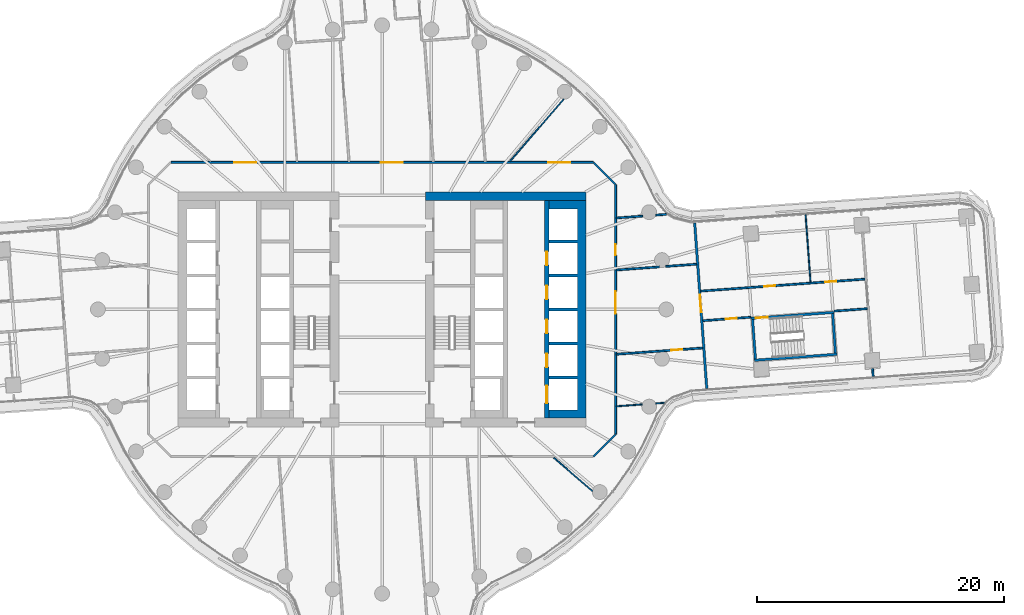
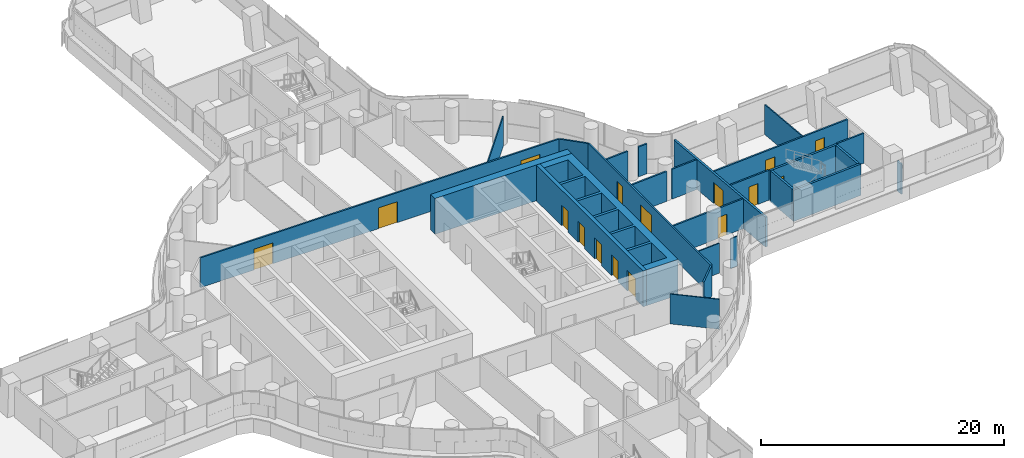
# One storey, part 22 of 31: 26 walls, 16 doors, 16 openings.
"""IFC4 building model written with IfcOpenShell, lengths in metres."""

from ifc_helpers import new_model, si_unit, direction, frame, frame_2d, origin, place, context, subcontext, project, spatial, polyline, rectangle, outline, extrude, material, layer, layer_set, type_object, element, fill, save


model = new_model("IFC4")

# Units and contexts
model_context = context("Model", 3, precision=1e-05, world=origin(), true_north=direction((0.0, 1.0)))
body_context = subcontext(model_context, "Body", "Model", "MODEL_VIEW")
ifc_project = project(units=[si_unit("LENGTHUNIT", "METRE"), si_unit("AREAUNIT", "SQUARE_METRE"), si_unit("VOLUMEUNIT", "CUBIC_METRE"), si_unit("PLANEANGLEUNIT", "RADIAN"), si_unit("MASSUNIT", "GRAM", prefix="KILO")], contexts=[model_context])

# Site, building, storey
site_placement = place(None, origin())
site = spatial("IfcSite", under=ifc_project, at=site_placement, CompositionType="ELEMENT")
building_placement = place(site_placement, origin())
building = spatial("IfcBuilding", under=site, at=building_placement, Name="Tamarind Cross Interchange Tower", CompositionType="ELEMENT")
storey_placement = place(building_placement, frame((0.0, 0.0, 49.0)))
storey = spatial("IfcBuildingStorey", under=building, at=storey_placement, Name="L10", CompositionType="ELEMENT", Elevation=49.0)

# Walls
ifc_material_1 = material(Name="Concrete C80", Category="concrete")
ifc_layer_1 = layer(ifc_material_1, 0.699951171875)
ifc_layer_set_1 = layer_set([ifc_layer_1], Name="Concrete C80")
wall_type_1 = type_object("IfcWallType", Name="Core wall 700 mm Concrete C80", PredefinedType="SHEAR", material=ifc_layer_set_1)
wall_1_placement = place(storey_placement, origin())
element("IfcWall", 1, at=wall_1_placement, inside=storey, type_object=wall_type_1, Name="Core wall CWL-L10-E-A", PredefinedType="SHEAR", context=body_context, shape_type="SweptSolid", body=[
    extrude(outline(polyline([(13.5, -8.800048828125), (15.800048828125, -8.800048828125), (16.5, -8.800048828125), (16.5, 8.800048828125), (15.800048828125, 8.800048828125), (13.5, 8.800048828125), (13.5, 8.125), (15.800048828125, 8.125), (15.800048828125, 5.625), (13.5, 5.625), (13.5, 5.375), (15.800048828125, 5.375), (15.800048828125, 2.875), (13.5, 2.875), (13.5, 2.625), (15.800048828125, 2.625), (15.800048828125, 0.125), (13.5, 0.125), (13.5, -0.125), (15.800048828125, -0.125), (15.800048828125, -2.625), (13.5, -2.625), (13.5, -2.875), (15.800048828125, -2.875), (15.800048828125, -5.375), (13.5, -5.375), (13.5, -5.625), (15.800048828125, -5.625), (15.800048828125, -8.125), (13.5, -8.125), (13.5, -8.800048828125)])), origin(), (0.0, 0.0, 1.0), 3.610107421875),
])
wall_2_placement = place(storey_placement, frame((16.5, 9.14990234375, 0.0), z_axis=(0.0, 0.0, 1.0), x_axis=(-1.0, 0.0, 0.0)))
element("IfcWall", 2, at=wall_2_placement, inside=storey, type_object=wall_type_1, Name="Core wall CWL-L10-E-NE", PredefinedType="SHEAR", context=body_context, shape_type="SweptSolid", body=[
    extrude(rectangle(XDim=13.0, YDim=0.699951171875, at=frame_2d((6.5, 0.0))), origin(), (0.0, 0.0, 1.0), 3.610107421875),
])

# Wall, openings, doors
ifc_layer_2 = layer(ifc_material_1, 0.35009765625)
ifc_layer_set_2 = layer_set([ifc_layer_2], Name="Concrete C80")
wall_type_2 = type_object("IfcWallType", Name="Core web wall 350 mm Concrete C80", PredefinedType="SHEAR", material=ifc_layer_set_2)
wall_3_placement = place(storey_placement, frame((13.324951171875, -8.800048828125, 0.0), z_axis=(0.0, 0.0, 1.0), x_axis=(0.0, 1.0, 0.0)))
wall_3 = element("IfcWall", 3, at=wall_3_placement, inside=storey, type_object=wall_type_2, Name="Core wall CWL-L10-E-LA", PredefinedType="SHEAR", context=body_context, shape_type="SweptSolid", body=[
    extrude(rectangle(XDim=17.60009765625, YDim=0.35009765625, at=frame_2d((8.800048828125, 0.0))), origin(), (0.0, 0.0, 1.0), 3.610107421875),
])
opening_1_placement = place(wall_3_placement, frame((1.22509765625, 0.0, 0.0)))
opening_1 = element("IfcOpeningElement", 4, at=opening_1_placement, cuts=wall_3, Name="Opening LD13L10", PredefinedType="OPENING", context=body_context, shape_type="SweptSolid", body=[
    extrude(rectangle(XDim=1.39990234375, YDim=2.10009765625, at=frame_2d((0.699951171875, 1.050048828125))), frame((0.0, 0.18505859375, 0.0), z_axis=(0.0, -1.0, 0.0), x_axis=(1.0, 0.0, 0.0)), (0.0, 0.0, 1.0), 0.3701171875),
])
opening_2_placement = place(wall_3_placement, frame((4.125, 0.0, 0.0)))
opening_2 = element("IfcOpeningElement", 5, at=opening_2_placement, cuts=wall_3, Name="Opening LD14L10", PredefinedType="OPENING", context=body_context, shape_type="SweptSolid", body=[
    extrude(rectangle(XDim=1.10009765625, YDim=2.10009765625, at=frame_2d((0.550048828125, 1.050048828125))), frame((0.0, 0.18505859375, 0.0), z_axis=(0.0, -1.0, 0.0), x_axis=(1.0, 0.0, 0.0)), (0.0, 0.0, 1.0), 0.3701171875),
])
opening_3_placement = place(wall_3_placement, frame((6.875, 0.0, 0.0)))
opening_3 = element("IfcOpeningElement", 6, at=opening_3_placement, cuts=wall_3, Name="Opening LD15L10", PredefinedType="OPENING", context=body_context, shape_type="SweptSolid", body=[
    extrude(rectangle(XDim=1.10009765625, YDim=2.10009765625, at=frame_2d((0.550048828125, 1.050048828125))), frame((0.0, 0.18505859375, 0.0), z_axis=(0.0, -1.0, 0.0), x_axis=(1.0, 0.0, 0.0)), (0.0, 0.0, 1.0), 0.3701171875),
])
opening_4_placement = place(wall_3_placement, frame((9.625, 0.0, 0.0)))
opening_4 = element("IfcOpeningElement", 7, at=opening_4_placement, cuts=wall_3, Name="Opening LD16L10", PredefinedType="OPENING", context=body_context, shape_type="SweptSolid", body=[
    extrude(rectangle(XDim=1.10009765625, YDim=2.10009765625, at=frame_2d((0.550048828125, 1.050048828125))), frame((0.0, 0.18505859375, 0.0), z_axis=(0.0, -1.0, 0.0), x_axis=(1.0, 0.0, 0.0)), (0.0, 0.0, 1.0), 0.3701171875),
])
opening_5_placement = place(wall_3_placement, frame((12.375, 0.0, 0.0)))
opening_5 = element("IfcOpeningElement", 8, at=opening_5_placement, cuts=wall_3, Name="Opening LD17L10", PredefinedType="OPENING", context=body_context, shape_type="SweptSolid", body=[
    extrude(rectangle(XDim=1.10009765625, YDim=2.10009765625, at=frame_2d((0.550048828125, 1.050048828125))), frame((0.0, 0.18505859375, 0.0), z_axis=(0.0, -1.0, 0.0), x_axis=(1.0, 0.0, 0.0)), (0.0, 0.0, 1.0), 0.3701171875),
])
ifc_material_2 = material(Name="Stainless steel panel", Category="steel")
door_type_1 = type_object("IfcDoorType", Name="Lift landing door 1100 x 2100 E 120", OperationType="SLIDING_TO_LEFT", PredefinedType="DOOR", material=ifc_material_2)
door_1_placement = place(opening_2_placement, origin())
door_1 = element("IfcDoor", 9, at=door_1_placement, inside=storey, type_object=door_type_1, Name="L10 landing door LF14", OperationType="SLIDING_TO_LEFT", OverallHeight=2.10009765625, OverallWidth=1.10009765625, PredefinedType="DOOR", context=body_context, shape_type="SweptSolid", body=[
    extrude(rectangle(XDim=1.10009765625, YDim=2.10009765625, at=frame_2d((0.550048828125, 1.050048828125))), frame((0.0, 0.02490234375, 0.0), z_axis=(0.0, -1.0, 0.0), x_axis=(1.0, 0.0, 0.0)), (0.0, 0.0, 1.0), 0.050048828125),
])
fill(opening_2, door_1)
door_2_placement = place(opening_3_placement, origin())
door_2 = element("IfcDoor", 10, at=door_2_placement, inside=storey, type_object=door_type_1, Name="L10 landing door LF15", OperationType="SLIDING_TO_LEFT", OverallHeight=2.10009765625, OverallWidth=1.10009765625, PredefinedType="DOOR", context=body_context, shape_type="SweptSolid", body=[
    extrude(rectangle(XDim=1.10009765625, YDim=2.10009765625, at=frame_2d((0.550048828125, 1.050048828125))), frame((0.0, 0.02490234375, 0.0), z_axis=(0.0, -1.0, 0.0), x_axis=(1.0, 0.0, 0.0)), (0.0, 0.0, 1.0), 0.050048828125),
])
fill(opening_3, door_2)
door_3_placement = place(opening_4_placement, origin())
door_3 = element("IfcDoor", 11, at=door_3_placement, inside=storey, type_object=door_type_1, Name="L10 landing door LF16", OperationType="SLIDING_TO_LEFT", OverallHeight=2.10009765625, OverallWidth=1.10009765625, PredefinedType="DOOR", context=body_context, shape_type="SweptSolid", body=[
    extrude(rectangle(XDim=1.10009765625, YDim=2.10009765625, at=frame_2d((0.550048828125, 1.050048828125))), frame((0.0, 0.02490234375, 0.0), z_axis=(0.0, -1.0, 0.0), x_axis=(1.0, 0.0, 0.0)), (0.0, 0.0, 1.0), 0.050048828125),
])
fill(opening_4, door_3)
door_4_placement = place(opening_5_placement, origin())
door_4 = element("IfcDoor", 12, at=door_4_placement, inside=storey, type_object=door_type_1, Name="L10 landing door LF17", OperationType="SLIDING_TO_LEFT", OverallHeight=2.10009765625, OverallWidth=1.10009765625, PredefinedType="DOOR", context=body_context, shape_type="SweptSolid", body=[
    extrude(rectangle(XDim=1.10009765625, YDim=2.10009765625, at=frame_2d((0.550048828125, 1.050048828125))), frame((0.0, 0.02490234375, 0.0), z_axis=(0.0, -1.0, 0.0), x_axis=(1.0, 0.0, 0.0)), (0.0, 0.0, 1.0), 0.050048828125),
])
fill(opening_5, door_4)
door_type_2 = type_object("IfcDoorType", Name="Lift landing door 1400 x 2100 E 120", OperationType="SLIDING_TO_LEFT", PredefinedType="DOOR", material=ifc_material_2)
door_5_placement = place(opening_1_placement, origin())
door_5 = element("IfcDoor", 13, at=door_5_placement, inside=storey, type_object=door_type_2, Name="L10 landing door LF13", OperationType="SLIDING_TO_LEFT", OverallHeight=2.10009765625, OverallWidth=1.39990234375, PredefinedType="DOOR", context=body_context, shape_type="SweptSolid", body=[
    extrude(rectangle(XDim=1.39990234375, YDim=2.10009765625, at=frame_2d((0.699951171875, 1.050048828125))), frame((0.0, 0.02490234375, 0.0), z_axis=(0.0, -1.0, 0.0), x_axis=(1.0, 0.0, 0.0)), (0.0, 0.0, 1.0), 0.050048828125),
])
fill(opening_1, door_5)

# Walls
ifc_material_3 = material(Name="Gypsum board partition on steel studs", Category="steel")
ifc_layer_3 = layer(ifc_material_3, 0.10009765625)
ifc_layer_set_3 = layer_set([ifc_layer_3], Name="Gypsum board partition on steel studs")
wall_type_3 = type_object("IfcWallType", Name="Partition 100 mm EI 120", PredefinedType="PARTITIONING", material=ifc_layer_set_3)
wall_4_placement = place(storey_placement, frame((13.885498046875, -11.9951171875, 0.0), z_axis=(0.0, 0.0, 1.0), x_axis=(0.756774104662, -0.653676490714, 0.0)))
element("IfcWall", 14, at=wall_4_placement, inside=storey, type_object=wall_type_3, Name="Partition L10-038", PredefinedType="PARTITIONING", context=body_context, shape_type="SweptSolid", body=[
    extrude(rectangle(XDim=4.153564453125, YDim=0.10009765625, at=frame_2d((2.07666015625, 0.0))), origin(), (0.0, 0.0, 1.0), 3.010009765625),
])
ifc_layer_4 = layer(ifc_material_3, 0.10009765625)
ifc_layer_set_4 = layer_set([ifc_layer_4], Name="Gypsum board partition on steel studs")
wall_type_4 = type_object("IfcWallType", Name="Partition 100 mm EI 90", PredefinedType="PARTITIONING", material=ifc_layer_set_4)
wall_5_placement = place(storey_placement, frame((34.276123046875, 7.642578125, 0.0), z_axis=(0.0, 0.0, 1.0), x_axis=(0.07289865045, -0.997339353862, 0.0)))
element("IfcWall", 15, at=wall_5_placement, inside=storey, type_object=wall_type_4, Name="Partition L10-031", PredefinedType="PARTITIONING", context=body_context, shape_type="SweptSolid", body=[
    extrude(rectangle(XDim=5.46240234375, YDim=0.10009765625, at=frame_2d((2.731201171875, 0.0))), origin(), (0.0, 0.0, 1.0), 3.010009765625),
])
wall_6_placement = place(storey_placement, frame((18.959716796875, -7.842529296875, 0.0), z_axis=(0.0, 0.0, 1.0), x_axis=(0.997346939481, 0.072794795886, 0.0)))
element("IfcWall", 16, at=wall_6_placement, inside=storey, type_object=wall_type_4, Name="Partition L10-067", PredefinedType="PARTITIONING", context=body_context, shape_type="SweptSolid", body=[
    extrude(rectangle(XDim=2.09619140625, YDim=0.10009765625, at=frame_2d((1.048095703125, 0.0))), origin(), (0.0, 0.0, 1.0), 3.010009765625),
])
wall_7_placement = place(storey_placement, frame((22.154052734375, -7.609375, 0.0), z_axis=(0.0, 0.0, 1.0), x_axis=(0.997346256242, 0.072804156196, 0.0)))
element("IfcWall", 17, at=wall_7_placement, inside=storey, type_object=wall_type_4, Name="Partition L10-068", PredefinedType="PARTITIONING", context=body_context, shape_type="SweptSolid", body=[
    extrude(rectangle(XDim=0.69091796875, YDim=0.10009765625, at=frame_2d((0.345458984375, 0.0))), origin(), (0.0, 0.0, 1.0), 3.010009765625),
])
wall_8_placement = place(storey_placement, frame((10.359130859375, 11.9892578125, 0.0), z_axis=(0.0, 0.0, 1.0), x_axis=(0.653736316153, 0.756722425293, 0.0)))
element("IfcWall", 18, at=wall_8_placement, inside=storey, type_object=wall_type_4, Name="Partition L10-075", PredefinedType="PARTITIONING", context=body_context, shape_type="SweptSolid", body=[
    extrude(rectangle(XDim=6.6591796875, YDim=0.10009765625, at=frame_2d((3.32958984375, 0.0))), origin(), (0.0, 0.0, 1.0), 3.010009765625),
])
ifc_layer_5 = layer(ifc_material_3, 0.14990234375)
ifc_layer_set_5 = layer_set([ifc_layer_5], Name="Gypsum board partition on steel studs")
wall_type_5 = type_object("IfcWallType", Name="Partition 150 mm EI 120", PredefinedType="PARTITIONING", material=ifc_layer_set_5)
wall_9_placement = place(storey_placement, frame((39.697998046875, -4.791748046875, 0.0), z_axis=(0.0, 0.0, 1.0), x_axis=(0.0728158971, -0.997345399112, 0.0)))
element("IfcWall", 19, at=wall_9_placement, inside=storey, type_object=wall_type_5, Name="Partition L10-034", PredefinedType="PARTITIONING", context=body_context, shape_type="SweptSolid", body=[
    extrude(rectangle(XDim=0.63037109375, YDim=0.14990234375, at=frame_2d((0.315185546875, 0.0))), origin(), (0.0, 0.0, 1.0), 3.010009765625),
])
wall_10_placement = place(storey_placement, frame((17.12841796875, 11.87158203125, 0.0), z_axis=(0.0, 0.0, 1.0), x_axis=(0.707106781187, -0.707106781187, 0.0)))
element("IfcWall", 20, at=wall_10_placement, inside=storey, type_object=wall_type_5, Name="Partition L10-036", PredefinedType="PARTITIONING", context=body_context, shape_type="SweptSolid", body=[
    extrude(rectangle(XDim=2.465087890625, YDim=0.14990234375, at=frame_2d((1.232421875, 0.0))), origin(), (0.0, 0.0, 1.0), 3.010009765625),
])

# Wall, openings, doors
wall_11_placement = place(storey_placement, frame((-17.06494140625, 11.89990234375, 0.0), z_axis=(0.0, 0.0, 1.0), x_axis=(1.0, 0.0, 0.0)))
wall_11 = element("IfcWall", 21, at=wall_11_placement, inside=storey, type_object=wall_type_5, Name="Partition L10-040", PredefinedType="PARTITIONING", context=body_context, shape_type="SweptSolid", body=[
    extrude(rectangle(XDim=34.1650390625, YDim=0.14990234375, at=frame_2d((17.08251953125, 0.0))), origin(), (0.0, 0.0, 1.0), 3.010009765625),
])
opening_6_placement = place(wall_11_placement, frame((16.944091796875, 0.0, 0.0)))
opening_6 = element("IfcOpeningElement", 22, at=opening_6_placement, cuts=wall_11, Name="Opening D21", PredefinedType="OPENING", context=body_context, shape_type="SweptSolid", body=[
    extrude(rectangle(XDim=1.800048828125, YDim=2.10009765625, at=frame_2d((0.89990234375, 1.050048828125))), frame((0.0, 0.0849609375, 0.0), z_axis=(0.0, -1.0, 0.0), x_axis=(1.0, 0.0, 0.0)), (0.0, 0.0, 1.0), 0.169921875),
])
opening_7_placement = place(wall_11_placement, frame((30.493896484375, 0.0, 0.0)))
opening_7 = element("IfcOpeningElement", 23, at=opening_7_placement, cuts=wall_11, Name="Opening D22", PredefinedType="OPENING", context=body_context, shape_type="SweptSolid", body=[
    extrude(rectangle(XDim=1.800048828125, YDim=2.10009765625, at=frame_2d((0.89990234375, 1.050048828125))), frame((0.0, 0.0849609375, 0.0), z_axis=(0.0, -1.0, 0.0), x_axis=(1.0, 0.0, 0.0)), (0.0, 0.0, 1.0), 0.169921875),
])
opening_8_placement = place(wall_11_placement, frame((5.089111328125, 0.0, 0.0)))
opening_8 = element("IfcOpeningElement", 24, at=opening_8_placement, cuts=wall_11, Name="Opening D23", PredefinedType="OPENING", context=body_context, shape_type="SweptSolid", body=[
    extrude(rectangle(XDim=1.800048828125, YDim=2.10009765625, at=frame_2d((0.89990234375, 1.050048828125))), frame((0.0, 0.0849609375, 0.0), z_axis=(0.0, -1.0, 0.0), x_axis=(1.0, 0.0, 0.0)), (0.0, 0.0, 1.0), 0.169921875),
])
ifc_material_4 = material(Name="Fire-resisting door set")
door_type_3 = type_object("IfcDoorType", Name="Interior door 1800 x 2100 FD60S", OperationType="DOUBLE_DOOR_SINGLE_SWING", PredefinedType="DOOR", material=ifc_material_4)
door_6_placement = place(opening_6_placement, frame((1.800048828125, 0.0, 0.0), z_axis=(0.0, 0.0, 1.0), x_axis=(-1.0, 0.0, 0.0)))
door_6 = element("IfcDoor", 25, at=door_6_placement, inside=storey, type_object=door_type_3, Name="Door D21", OperationType="DOUBLE_DOOR_SINGLE_SWING", OverallHeight=2.10009765625, OverallWidth=1.800048828125, PredefinedType="DOOR", context=body_context, shape_type="SweptSolid", body=[
    extrude(rectangle(XDim=1.800048828125, YDim=2.10009765625, at=frame_2d((0.89990234375, 1.050048828125))), frame((0.0, 0.02490234375, 0.0), z_axis=(0.0, -1.0, 0.0), x_axis=(1.0, 0.0, 0.0)), (0.0, 0.0, 1.0), 0.050048828125),
])
fill(opening_6, door_6)
door_7_placement = place(opening_7_placement, origin())
door_7 = element("IfcDoor", 26, at=door_7_placement, inside=storey, type_object=door_type_3, Name="Door D22", OperationType="DOUBLE_DOOR_SINGLE_SWING", OverallHeight=2.10009765625, OverallWidth=1.800048828125, PredefinedType="DOOR", context=body_context, shape_type="SweptSolid", body=[
    extrude(rectangle(XDim=1.800048828125, YDim=2.10009765625, at=frame_2d((0.89990234375, 1.050048828125))), frame((0.0, 0.02490234375, 0.0), z_axis=(0.0, -1.0, 0.0), x_axis=(1.0, 0.0, 0.0)), (0.0, 0.0, 1.0), 0.050048828125),
])
fill(opening_7, door_7)
door_8_placement = place(opening_8_placement, origin())
door_8 = element("IfcDoor", 27, at=door_8_placement, inside=storey, type_object=door_type_3, Name="Door D23", OperationType="DOUBLE_DOOR_SINGLE_SWING", OverallHeight=2.10009765625, OverallWidth=1.800048828125, PredefinedType="DOOR", context=body_context, shape_type="SweptSolid", body=[
    extrude(rectangle(XDim=1.800048828125, YDim=2.10009765625, at=frame_2d((0.89990234375, 1.050048828125))), frame((0.0, 0.02490234375, 0.0), z_axis=(0.0, -1.0, 0.0), x_axis=(1.0, 0.0, 0.0)), (0.0, 0.0, 1.0), 0.050048828125),
])
fill(opening_8, door_8)

# Wall, opening, door
wall_12_placement = place(storey_placement, frame((18.96484375, -3.63134765625, 0.0), z_axis=(0.0, 0.0, 1.0), x_axis=(0.997335024117, 0.072957862281, 0.0)))
wall_12 = element("IfcWall", 28, at=wall_12_placement, inside=storey, type_object=wall_type_5, Name="Partition L10-062", PredefinedType="PARTITIONING", context=body_context, shape_type="SweptSolid", body=[
    extrude(rectangle(XDim=6.9970703125, YDim=0.14990234375, at=frame_2d((3.49853515625, 0.0))), origin(), (0.0, 0.0, 1.0), 3.010009765625),
])
opening_9_placement = place(wall_12_placement, frame((4.43505859375, 0.0, 0.0)))
opening_9 = element("IfcOpeningElement", 29, at=opening_9_placement, cuts=wall_12, Name="Opening D33", PredefinedType="OPENING", context=body_context, shape_type="SweptSolid", body=[
    extrude(rectangle(XDim=0.89990234375, YDim=2.10009765625, at=frame_2d((0.449951171875, 1.050048828125))), frame((0.0, 0.0849609375, 0.0), z_axis=(0.0, -1.0, 0.0), x_axis=(1.0, 0.0, 0.0)), (0.0, 0.0, 1.0), 0.169921875),
])
door_type_4 = type_object("IfcDoorType", Name="Interior door 900 x 2100 FD60S", OperationType="SINGLE_SWING_LEFT", PredefinedType="DOOR", material=ifc_material_4)
door_9_placement = place(opening_9_placement, frame((0.89990234375, 0.0, 0.0), z_axis=(0.0, 0.0, 1.0), x_axis=(-1.0, 0.0, 0.0)))
door_9 = element("IfcDoor", 30, at=door_9_placement, inside=storey, type_object=door_type_4, Name="Door D33", OperationType="SINGLE_SWING_RIGHT", OverallHeight=2.10009765625, OverallWidth=0.89990234375, PredefinedType="DOOR", context=body_context, shape_type="SweptSolid", body=[
    extrude(rectangle(XDim=0.89990234375, YDim=2.10009765625, at=frame_2d((0.449951171875, 1.050048828125))), frame((0.0, 0.02490234375, 0.0), z_axis=(0.0, -1.0, 0.0), x_axis=(1.0, 0.0, 0.0)), (0.0, 0.0, 1.0), 0.050048828125),
])
fill(opening_9, door_9)

# Walls
wall_13_placement = place(storey_placement, frame((18.96484375, 3.187744140625, 0.0), z_axis=(0.0, 0.0, 1.0), x_axis=(0.99734640783, 0.072802079559, 0.0)))
element("IfcWall", 31, at=wall_13_placement, inside=storey, type_object=wall_type_5, Name="Partition L10-063", PredefinedType="PARTITIONING", context=body_context, shape_type="SweptSolid", body=[
    extrude(rectangle(XDim=3.48095703125, YDim=0.14990234375, at=frame_2d((1.740478515625, 0.0))), origin(), (0.0, 0.0, 1.0), 3.010009765625),
])
wall_14_placement = place(storey_placement, frame((22.97021484375, 3.480224609375, 0.0), z_axis=(0.0, 0.0, 1.0), x_axis=(0.997343660578, 0.072839705548, 0.0)))
element("IfcWall", 32, at=wall_14_placement, inside=storey, type_object=wall_type_5, Name="Partition L10-064", PredefinedType="PARTITIONING", context=body_context, shape_type="SweptSolid", body=[
    extrude(rectangle(XDim=2.483642578125, YDim=0.14990234375, at=frame_2d((1.24169921875, 0.0))), origin(), (0.0, 0.0, 1.0), 3.010009765625),
])
wall_15_placement = place(storey_placement, frame((18.96484375, 7.398681640625, 0.0), z_axis=(0.0, 0.0, 1.0), x_axis=(0.997338191972, 0.072914544736, 0.0)))
element("IfcWall", 33, at=wall_15_placement, inside=storey, type_object=wall_type_5, Name="Partition L10-065", PredefinedType="PARTITIONING", context=body_context, shape_type="SweptSolid", body=[
    extrude(rectangle(XDim=2.1328125, YDim=0.14990234375, at=frame_2d((1.06640625, 0.0))), origin(), (0.0, 0.0, 1.0), 3.010009765625),
])
wall_16_placement = place(storey_placement, frame((22.16015625, 7.632080078125, 0.0), z_axis=(0.0, 0.0, 1.0), x_axis=(0.997348002783, 0.072780226335, 0.0)))
element("IfcWall", 34, at=wall_16_placement, inside=storey, type_object=wall_type_5, Name="Partition L10-066", PredefinedType="PARTITIONING", context=body_context, shape_type="SweptSolid", body=[
    extrude(rectangle(XDim=0.8486328125, YDim=0.14990234375, at=frame_2d((0.42431640625, 0.0))), origin(), (0.0, 0.0, 1.0), 3.010009765625),
])

# Wall, openings, doors
wall_17_placement = place(storey_placement, frame((25.796630859375, 1.48095703125, 0.0), z_axis=(0.0, 0.0, 1.0), x_axis=(0.997340738422, 0.072879705568, 0.0)))
wall_17 = element("IfcWall", 35, at=wall_17_placement, inside=storey, type_object=wall_type_5, Name="Partition L10-069", PredefinedType="PARTITIONING", context=body_context, shape_type="SweptSolid", body=[
    extrude(rectangle(XDim=13.3359375, YDim=0.14990234375, at=frame_2d((6.66796875, 0.0))), origin(), (0.0, 0.0, 1.0), 3.010009765625),
])
opening_10_placement = place(wall_17_placement, frame((5.155029296875, 0.0, 0.0)))
opening_10 = element("IfcOpeningElement", 36, at=opening_10_placement, cuts=wall_17, Name="Opening D34", PredefinedType="OPENING", context=body_context, shape_type="SweptSolid", body=[
    extrude(rectangle(XDim=0.89990234375, YDim=2.10009765625, at=frame_2d((0.449951171875, 1.050048828125))), frame((0.0, 0.0849609375, 0.0), z_axis=(0.0, -1.0, 0.0), x_axis=(1.0, 0.0, 0.0)), (0.0, 0.0, 1.0), 0.169921875),
])
opening_11_placement = place(wall_17_placement, frame((10.10595703125, 0.0, 0.0)))
opening_11 = element("IfcOpeningElement", 37, at=opening_11_placement, cuts=wall_17, Name="Opening D35", PredefinedType="OPENING", context=body_context, shape_type="SweptSolid", body=[
    extrude(rectangle(XDim=0.89990234375, YDim=2.10009765625, at=frame_2d((0.449951171875, 1.050048828125))), frame((0.0, 0.0849609375, 0.0), z_axis=(0.0, -1.0, 0.0), x_axis=(1.0, 0.0, 0.0)), (0.0, 0.0, 1.0), 0.169921875),
])
door_10_placement = place(opening_10_placement, origin())
door_10 = element("IfcDoor", 38, at=door_10_placement, inside=storey, type_object=door_type_4, Name="Door D34", OperationType="SINGLE_SWING_RIGHT", OverallHeight=2.10009765625, OverallWidth=0.89990234375, PredefinedType="DOOR", context=body_context, shape_type="SweptSolid", body=[
    extrude(rectangle(XDim=0.89990234375, YDim=2.10009765625, at=frame_2d((0.449951171875, 1.050048828125))), frame((0.0, 0.02490234375, 0.0), z_axis=(0.0, -1.0, 0.0), x_axis=(1.0, 0.0, 0.0)), (0.0, 0.0, 1.0), 0.050048828125),
])
fill(opening_10, door_10)
door_11_placement = place(opening_11_placement, origin())
door_11 = element("IfcDoor", 39, at=door_11_placement, inside=storey, type_object=door_type_4, Name="Door D35", OperationType="SINGLE_SWING_LEFT", OverallHeight=2.10009765625, OverallWidth=0.89990234375, PredefinedType="DOOR", context=body_context, shape_type="SweptSolid", body=[
    extrude(rectangle(XDim=0.89990234375, YDim=2.10009765625, at=frame_2d((0.449951171875, 1.050048828125))), frame((0.0, 0.02490234375, 0.0), z_axis=(0.0, -1.0, 0.0), x_axis=(1.0, 0.0, 0.0)), (0.0, 0.0, 1.0), 0.050048828125),
])
fill(opening_11, door_11)

# Wall, opening, door
wall_18_placement = place(storey_placement, frame((25.9716796875, -0.9130859375, 0.0), z_axis=(0.0, 0.0, 1.0), x_axis=(0.997335741292, 0.07294805783, 0.0)))
wall_18 = element("IfcWall", 40, at=wall_18_placement, inside=storey, type_object=wall_type_5, Name="Partition L10-070", PredefinedType="PARTITIONING", context=body_context, shape_type="SweptSolid", body=[
    extrude(rectangle(XDim=3.865478515625, YDim=0.14990234375, at=frame_2d((1.9326171875, 0.0))), origin(), (0.0, 0.0, 1.0), 3.010009765625),
])
opening_12_placement = place(wall_18_placement, frame((1.85498046875, 0.0, 0.0)))
opening_12 = element("IfcOpeningElement", 41, at=opening_12_placement, cuts=wall_18, Name="Opening D36", PredefinedType="OPENING", context=body_context, shape_type="SweptSolid", body=[
    extrude(rectangle(XDim=0.89990234375, YDim=2.10009765625, at=frame_2d((0.449951171875, 1.050048828125))), frame((0.0, 0.0849609375, 0.0), z_axis=(0.0, -1.0, 0.0), x_axis=(1.0, 0.0, 0.0)), (0.0, 0.0, 1.0), 0.169921875),
])
door_12_placement = place(opening_12_placement, frame((0.89990234375, 0.0, 0.0), z_axis=(0.0, 0.0, 1.0), x_axis=(-1.0, 0.0, 0.0)))
door_12 = element("IfcDoor", 42, at=door_12_placement, inside=storey, type_object=door_type_4, Name="Door D36", OperationType="SINGLE_SWING_RIGHT", OverallHeight=2.10009765625, OverallWidth=0.89990234375, PredefinedType="DOOR", context=body_context, shape_type="SweptSolid", body=[
    extrude(rectangle(XDim=0.89990234375, YDim=2.10009765625, at=frame_2d((0.449951171875, 1.050048828125))), frame((0.0, 0.02490234375, 0.0), z_axis=(0.0, -1.0, 0.0), x_axis=(1.0, 0.0, 0.0)), (0.0, 0.0, 1.0), 0.050048828125),
])
fill(opening_12, door_12)

# Walls
wall_19_placement = place(storey_placement, frame((36.588623046875, -0.13623046875, 0.0), z_axis=(0.0, 0.0, 1.0), x_axis=(0.997336778494, 0.072933875971, 0.0)))
element("IfcWall", 43, at=wall_19_placement, inside=storey, type_object=wall_type_5, Name="Partition L10-071", PredefinedType="PARTITIONING", context=body_context, shape_type="SweptSolid", body=[
    extrude(rectangle(XDim=2.694580078125, YDim=0.14990234375, at=frame_2d((1.34716796875, 0.0))), origin(), (0.0, 0.0, 1.0), 3.010009765625),
])
wall_20_placement = place(storey_placement, frame((17.10009765625, -11.89990234375, 0.0), z_axis=(0.0, 0.0, 1.0), x_axis=(0.707106781187, 0.707106781187, 0.0)))
element("IfcWall", 44, at=wall_20_placement, inside=storey, type_object=wall_type_5, Name="Partition L10-073", PredefinedType="PARTITIONING", context=body_context, shape_type="SweptSolid", body=[
    extrude(rectangle(XDim=2.50537109375, YDim=0.14990234375, at=frame_2d((1.252685546875, 0.0))), origin(), (0.0, 0.0, 1.0), 3.010009765625),
])

# Wall, openings, doors
wall_21_placement = place(storey_placement, frame((18.89990234375, -10.10009765625, 0.0), z_axis=(0.0, 0.0, 1.0), x_axis=(0.0, 1.0, 0.0)))
wall_21 = element("IfcWall", 45, at=wall_21_placement, inside=storey, type_object=wall_type_5, Name="Partition L10-077", PredefinedType="PARTITIONING", context=body_context, shape_type="SweptSolid", body=[
    extrude(rectangle(XDim=20.2001953125, YDim=0.14990234375, at=frame_2d((10.10009765625, 0.0))), origin(), (0.0, 0.0, 1.0), 3.010009765625),
])
opening_13_placement = place(wall_21_placement, frame((9.763916015625, 0.0, 0.0)))
opening_13 = element("IfcOpeningElement", 46, at=opening_13_placement, cuts=wall_21, Name="Opening D39", PredefinedType="OPENING", context=body_context, shape_type="SweptSolid", body=[
    extrude(rectangle(XDim=1.800048828125, YDim=2.10009765625, at=frame_2d((0.89990234375, 1.050048828125))), frame((0.0, 0.0849609375, 0.0), z_axis=(0.0, -1.0, 0.0), x_axis=(1.0, 0.0, 0.0)), (0.0, 0.0, 1.0), 0.169921875),
])
opening_14_placement = place(wall_21_placement, frame((14.48291015625, 0.0, 0.0)))
opening_14 = element("IfcOpeningElement", 47, at=opening_14_placement, cuts=wall_21, Name="Opening D40", PredefinedType="OPENING", context=body_context, shape_type="SweptSolid", body=[
    extrude(rectangle(XDim=0.89990234375, YDim=2.10009765625, at=frame_2d((0.449951171875, 1.050048828125))), frame((0.0, 0.0849609375, 0.0), z_axis=(0.0, -1.0, 0.0), x_axis=(1.0, 0.0, 0.0)), (0.0, 0.0, 1.0), 0.169921875),
])
door_13_placement = place(opening_13_placement, origin())
door_13 = element("IfcDoor", 48, at=door_13_placement, inside=storey, type_object=door_type_3, Name="Door D39", OperationType="DOUBLE_DOOR_SINGLE_SWING", OverallHeight=2.10009765625, OverallWidth=1.800048828125, PredefinedType="DOOR", context=body_context, shape_type="SweptSolid", body=[
    extrude(rectangle(XDim=1.800048828125, YDim=2.10009765625, at=frame_2d((0.89990234375, 1.050048828125))), frame((0.0, 0.02490234375, 0.0), z_axis=(0.0, -1.0, 0.0), x_axis=(1.0, 0.0, 0.0)), (0.0, 0.0, 1.0), 0.050048828125),
])
fill(opening_13, door_13)
door_14_placement = place(opening_14_placement, frame((0.89990234375, 0.0, 0.0), z_axis=(0.0, 0.0, 1.0), x_axis=(-1.0, 0.0, 0.0)))
door_14 = element("IfcDoor", 49, at=door_14_placement, inside=storey, type_object=door_type_4, Name="Door D40", OperationType="SINGLE_SWING_RIGHT", OverallHeight=2.10009765625, OverallWidth=0.89990234375, PredefinedType="DOOR", context=body_context, shape_type="SweptSolid", body=[
    extrude(rectangle(XDim=0.89990234375, YDim=2.10009765625, at=frame_2d((0.449951171875, 1.050048828125))), frame((0.0, 0.02490234375, 0.0), z_axis=(0.0, -1.0, 0.0), x_axis=(1.0, 0.0, 0.0)), (0.0, 0.0, 1.0), 0.050048828125),
])
fill(opening_14, door_14)

# Wall, opening, door
ifc_layer_6 = layer(ifc_material_3, 0.199951171875)
ifc_layer_set_6 = layer_set([ifc_layer_6], Name="Gypsum board partition on steel studs")
wall_type_6 = type_object("IfcWallType", Name="Partition 200 mm EI 180", PredefinedType="PARTITIONING", material=ifc_layer_set_6)
wall_22_placement = place(storey_placement, frame((25.298095703125, 7.007080078125, 0.0), z_axis=(0.0, 0.0, 1.0), x_axis=(0.072858475018, -0.997342289597, 0.0)))
wall_22 = element("IfcWall", 50, at=wall_22_placement, inside=storey, type_object=wall_type_6, Name="Partition L10-030", PredefinedType="PARTITIONING", context=body_context, shape_type="SweptSolid", body=[
    extrude(rectangle(XDim=13.447021484375, YDim=0.199951171875, at=frame_2d((6.7236328125, 0.0))), origin(), (0.0, 0.0, 1.0), 3.010009765625),
])
opening_15_placement = place(wall_22_placement, frame((5.847900390625, 0.0, 0.0)))
opening_15 = element("IfcOpeningElement", 51, at=opening_15_placement, cuts=wall_22, Name="Opening D16", PredefinedType="OPENING", context=body_context, shape_type="SweptSolid", body=[
    extrude(rectangle(XDim=1.39990234375, YDim=2.10009765625, at=frame_2d((0.699951171875, 1.050048828125))), frame((0.0, 0.10986328125, 0.0), z_axis=(0.0, -1.0, 0.0), x_axis=(1.0, 0.0, 0.0)), (0.0, 0.0, 1.0), 0.219970703125),
])
door_type_5 = type_object("IfcDoorType", Name="Interior door 1400 x 2100 FD120S", OperationType="DOUBLE_DOOR_SINGLE_SWING", PredefinedType="DOOR", material=ifc_material_4)
door_15_placement = place(opening_15_placement, frame((1.39990234375, 0.0, 0.0), z_axis=(0.0, 0.0, 1.0), x_axis=(-1.0, 0.0, 0.0)))
door_15 = element("IfcDoor", 52, at=door_15_placement, inside=storey, type_object=door_type_5, Name="Door D16", OperationType="DOUBLE_DOOR_SINGLE_SWING", OverallHeight=2.10009765625, OverallWidth=1.39990234375, PredefinedType="DOOR", context=body_context, shape_type="SweptSolid", body=[
    extrude(rectangle(XDim=1.39990234375, YDim=2.10009765625, at=frame_2d((0.699951171875, 1.050048828125))), frame((0.0, 0.02490234375, 0.0), z_axis=(0.0, -1.0, 0.0), x_axis=(1.0, 0.0, 0.0)), (0.0, 0.0, 1.0), 0.050048828125),
])
fill(opening_15, door_15)

ifc_material_5 = material(Name="Concrete C40", Category="concrete")
ifc_layer_7 = layer(ifc_material_5, 0.199951171875)
ifc_layer_set_7 = layer_set([ifc_layer_7], Name="Concrete C40")
wall_type_7 = type_object("IfcWallType", Name="Stair shaft wall 200 mm Concrete C40", PredefinedType="SHEAR", material=ifc_layer_set_7)
wall_23_placement = place(storey_placement, frame((29.8740234375, -0.72802734375, -0.139892578125), z_axis=(0.0, 0.0, 1.0), x_axis=(0.997340834197, 0.072878394899, 0.0)))
wall_23 = element("IfcWall", 53, at=wall_23_placement, inside=storey, type_object=wall_type_7, Name="Core wall CWL-L10-ST3-H", PredefinedType="SHEAR", context=body_context, shape_type="SweptSolid", body=[
    extrude(rectangle(XDim=6.699951171875, YDim=0.199951171875, at=frame_2d((3.35009765625, 0.0))), origin(), (0.0, 0.0, 1.0), 3.14990234375),
])
opening_16_placement = place(wall_23_placement, frame((0.35009765625, 0.0, 0.0)))
opening_16 = element("IfcOpeningElement", 54, at=opening_16_placement, cuts=wall_23, Name="Opening ST3L10", PredefinedType="OPENING", context=body_context, shape_type="SweptSolid", body=[
    extrude(rectangle(XDim=1.0, YDim=2.10009765625, at=frame_2d((0.5, 1.050048828125))), frame((0.0, 0.10986328125, 0.0), z_axis=(0.0, -1.0, 0.0), x_axis=(1.0, 0.0, 0.0)), (0.0, 0.0, 1.0), 0.219970703125),
])
ifc_material_6 = material(Name="Steel, fire-resisting", Category="steel")
door_type_6 = type_object("IfcDoorType", Name="Core fire door 1000 x 2100 FD90", OperationType="SINGLE_SWING_LEFT", PredefinedType="DOOR", material=ifc_material_6)
door_16_placement = place(opening_16_placement, origin())
door_16 = element("IfcDoor", 55, at=door_16_placement, inside=storey, type_object=door_type_6, Name="L10 stair door ST3", OperationType="SINGLE_SWING_LEFT", OverallHeight=2.10009765625, OverallWidth=1.0, PredefinedType="DOOR", context=body_context, shape_type="SweptSolid", body=[
    extrude(rectangle(XDim=1.0, YDim=2.10009765625, at=frame_2d((0.5, 1.050048828125))), frame((0.0, 0.02490234375, 0.0), z_axis=(0.0, -1.0, 0.0), x_axis=(1.0, 0.0, 0.0)), (0.0, 0.0, 1.0), 0.050048828125),
])
fill(opening_16, door_16)

# Walls
wall_24_placement = place(storey_placement, frame((30.121826171875, -4.119140625, -0.139892578125), z_axis=(0.0, 0.0, 1.0), x_axis=(0.997340834197, 0.072878394899, 0.0)))
element("IfcWall", 56, at=wall_24_placement, inside=storey, type_object=wall_type_7, Name="Core wall CWL-L10-ST3-C", PredefinedType="SHEAR", context=body_context, shape_type="SweptSolid", body=[
    extrude(rectangle(XDim=6.699951171875, YDim=0.199951171875, at=frame_2d((3.35009765625, 0.0))), origin(), (0.0, 0.0, 1.0), 3.14990234375),
])
wall_25_placement = place(storey_placement, frame((30.214111328125, -4.011962890625, -0.139892578125), z_axis=(0.0, 0.0, 1.0), x_axis=(-0.072862728718, 0.997341978844, 0.0)))
element("IfcWall", 57, at=wall_25_placement, inside=storey, type_object=wall_type_7, Name="Core wall CWL-L10-ST3-CE", PredefinedType="SHEAR", context=body_context, shape_type="SweptSolid", body=[
    extrude(rectangle(XDim=3.199951171875, YDim=0.199951171875, at=frame_2d((1.60009765625, 0.0))), origin(), (0.0, 0.0, 1.0), 3.14990234375),
])
wall_26_placement = place(storey_placement, frame((0.0, 0.0, -0.139892578125)))
element("IfcWall", 58, at=wall_26_placement, inside=storey, type_object=wall_type_7, Name="Core wall CWL-L10-ST3-CF", PredefinedType="SHEAR", context=body_context, shape_type="SweptSolid", body=[
    extrude(outline(polyline([(36.59716796875, -3.545654296875), (36.796630859375, -3.531005859375), (36.5634765625, -0.339599609375), (36.364013671875, -0.35400390625), (36.59716796875, -3.545654296875)])), origin(), (0.0, 0.0, 1.0), 3.14990234375),
])

save(model, "model.ifc")
